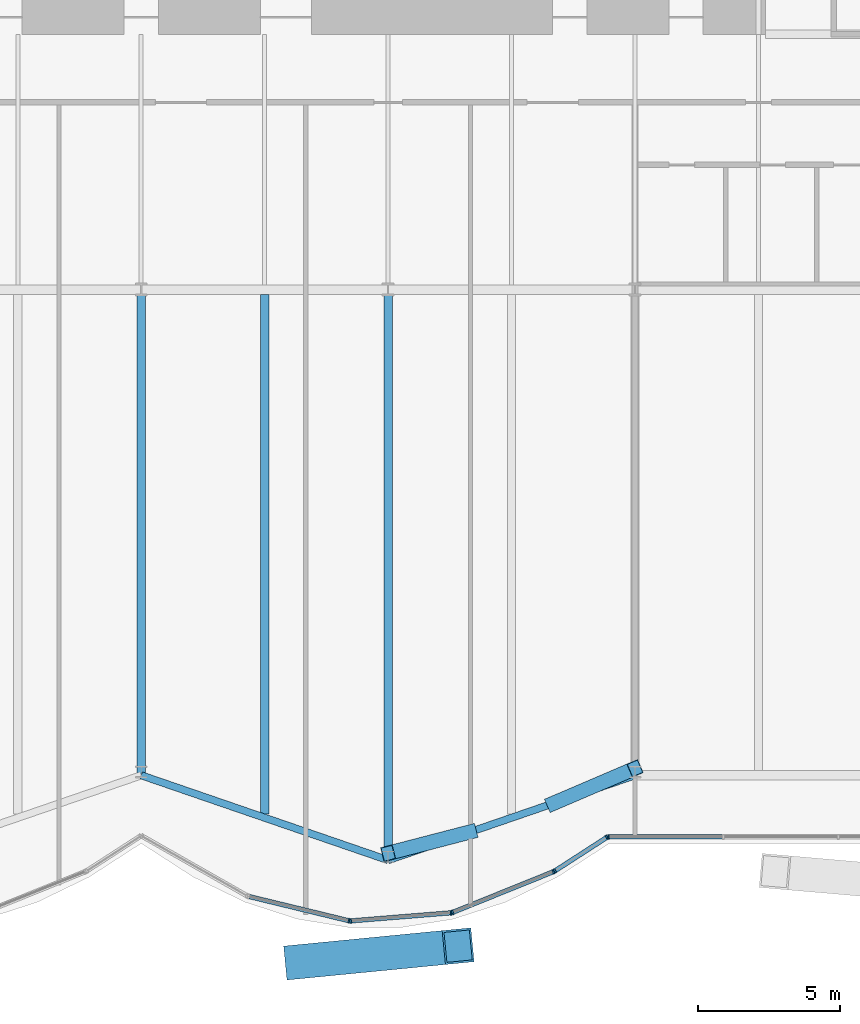
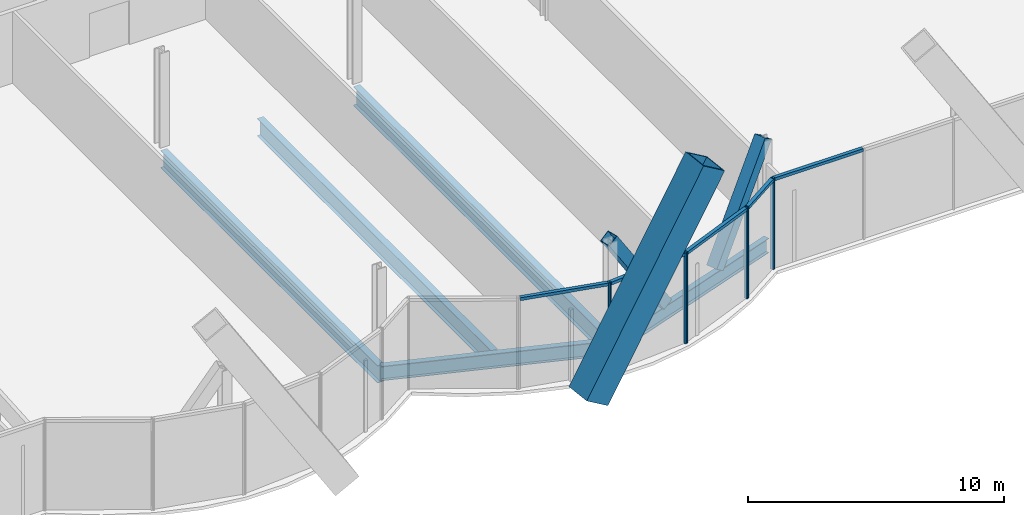
# One storey, part 8 of 23: 16 members, 5 beams, 2 elements without a shape of their own.
"""IFC4 building model written with IfcOpenShell, lengths in metres."""

from ifc_helpers import new_model, si_unit, direction, frame, origin, origin_2d, place, context, subcontext, project, spatial, rectangle, hollow_rectangle, i_section, extrude, material, material_profile, profile_set, type_object, element, aggregate, save


model = new_model("IFC4")

# Units and contexts
model_context = context("Model", 3, precision=1e-05, world=origin(), true_north=direction((0.0, 1.0)))
body_context = subcontext(model_context, "Body", "Model", "MODEL_VIEW")
ifc_project = project(units=[si_unit("LENGTHUNIT", "METRE"), si_unit("AREAUNIT", "SQUARE_METRE"), si_unit("VOLUMEUNIT", "CUBIC_METRE"), si_unit("PLANEANGLEUNIT", "RADIAN"), si_unit("MASSUNIT", "GRAM", prefix="KILO")], contexts=[model_context])

# Site, building, storey
site_placement = place(None, origin())
site = spatial("IfcSite", under=ifc_project, at=site_placement, CompositionType="ELEMENT")
building_placement = place(site_placement, origin())
building = spatial("IfcBuilding", under=site, at=building_placement, Name="Bicima Exchange Tower", CompositionType="ELEMENT")
storey_placement = place(building_placement, frame((0.0, 0.0, 44.0)))
storey = spatial("IfcBuildingStorey", under=building, at=storey_placement, Name="L08", CompositionType="ELEMENT", Elevation=44.0)

# Member
ifc_material_1 = material(Name="Steel ASTM A572 Gr 50", Category="steel")
ifc_material_profile_1 = material_profile(ifc_material_1, hollow_rectangle(XDim=1.199951171875, YDim=1.199951171875, WallThickness=0.070068359375, at=origin_2d()))
ifc_profile_set_1 = profile_set([ifc_material_profile_1], Name="Steel ASTM A572 Gr 50")
member_type_1 = type_object("IfcMemberType", Name="Exo mega brace BOX 1200x1200x70", PredefinedType="BRACE", material=ifc_profile_set_1)
member_1_placement = place(storey_placement, frame((5.583251953125, -45.67822265625, 0.375), z_axis=(0.529653366281, 0.051737893322, 0.846634810282), x_axis=(-0.097219824756, 0.995262932935, 0.0)))
element("IfcMember", 1, at=member_1_placement, inside=storey, type_object=member_type_1, Name="Exo mega brace front", PredefinedType="BRACE", context=body_context, shape_type="SweptSolid", body=[
    extrude(hollow_rectangle(XDim=1.199951171875, YDim=1.199951171875, WallThickness=0.070068359375, at=origin_2d()), origin(), (0.0, 0.0, 1.0), 10.541748046875),
])

# Beams
ifc_material_2 = material(Name="Steel ASTM A992 Gr 50", Category="steel")
ifc_material_profile_2 = material_profile(ifc_material_2, i_section(OverallWidth=0.2919921875, OverallDepth=0.835693359375, WebThickness=0.013916015625, FlangeThickness=0.018798828125, at=origin_2d()))
ifc_profile_set_2 = profile_set([ifc_material_profile_2], Name="Steel ASTM A992 Gr 50")
beam_type_1 = type_object("IfcBeamType", Name="Floor beam W33x118", PredefinedType="JOIST", material=ifc_profile_set_2)
beam_1_placement = place(storey_placement, frame((0.0, -22.16259765625, -0.56787109375), z_axis=(0.0, -1.0, 0.0), x_axis=(1.0, 0.0, 0.0)))
element("IfcBeam", 2, at=beam_1_placement, inside=storey, type_object=beam_type_1, Name="Floor beam", PredefinedType="JOIST", context=body_context, shape_type="SweptSolid", body=[
    extrude(i_section(OverallWidth=0.2919921875, OverallDepth=0.835693359375, WebThickness=0.013916015625, FlangeThickness=0.018798828125, at=origin_2d()), origin(), (0.0, 0.0, 1.0), 16.949462890625),
])
beam_2_placement = place(storey_placement, frame((4.35009765625, -22.16259765625, -0.56787109375), z_axis=(0.0, -1.0, 0.0), x_axis=(1.0, 0.0, 0.0)))
element("IfcBeam", 3, at=beam_2_placement, inside=storey, type_object=beam_type_1, Name="Floor beam", PredefinedType="JOIST", context=body_context, shape_type="SweptSolid", body=[
    extrude(i_section(OverallWidth=0.2919921875, OverallDepth=0.835693359375, WebThickness=0.013916015625, FlangeThickness=0.018798828125, at=origin_2d()), origin(), (0.0, 0.0, 1.0), 18.309326171875),
])
ifc_material_profile_3 = material_profile(ifc_material_2, i_section(OverallWidth=0.3046875, OverallDepth=0.904296875, WebThickness=0.01513671875, FlangeThickness=0.02001953125, at=origin_2d()))
ifc_profile_set_3 = profile_set([ifc_material_profile_3], Name="Steel ASTM A992 Gr 50")
beam_type_2 = type_object("IfcBeamType", Name="Floor beam W36x135", PredefinedType="JOIST", material=ifc_profile_set_3)
beam_3_placement = place(storey_placement, frame((8.699951171875, -22.16259765625, -0.60205078125), z_axis=(0.0, -1.0, 0.0), x_axis=(1.0, 0.0, 0.0)))
element("IfcBeam", 4, at=beam_3_placement, inside=storey, type_object=beam_type_2, Name="Floor beam", PredefinedType="JOIST", context=body_context, shape_type="SweptSolid", body=[
    extrude(i_section(OverallWidth=0.3046875, OverallDepth=0.904296875, WebThickness=0.01513671875, FlangeThickness=0.02001953125, at=origin_2d()), origin(), (0.0, 0.0, 1.0), 19.8046875),
])
ifc_material_profile_4 = material_profile(ifc_material_2, i_section(OverallWidth=0.256591796875, OverallDepth=0.693359375, WebThickness=0.014404296875, FlangeThickness=0.023681640625, at=origin_2d()))
ifc_profile_set_4 = profile_set([ifc_material_profile_4], Name="Steel ASTM A992 Gr 50")
beam_type_3 = type_object("IfcBeamType", Name="Front girder W27x114", PredefinedType="BEAM", material=ifc_profile_set_4)
for number, where, z_axis, x_axis, name in (
    (5, (0.0, -39.112060546875, -0.49658203125), (0.945674616091, -0.32511462668, 0.0), (0.32511462668, 0.945674616091, 0.0), "Front girder"),
    (6, (8.699951171875, -42.10302734375, -0.49658203125), (0.945674616091, 0.32511462668, 0.0), (-0.32511462668, 0.945674616091, 0.0), "Front girder"),
):
    element("IfcBeam", number, at=place(storey_placement, frame(where, z_axis=z_axis, x_axis=x_axis)), inside=storey, type_object=beam_type_3, Name=name, PredefinedType="BEAM", context=body_context, shape_type="SweptSolid", body=[
        extrude(i_section(OverallWidth=0.256591796875, OverallDepth=0.693359375, WebThickness=0.014404296875, FlangeThickness=0.023681640625, at=origin_2d()), origin(), (0.0, 0.0, 1.0), 9.19970703125),
    ])

# Curtain wall, members
ifc_material_3 = material(Name="Anodised bronze aluminium", Category="aluminium")
curtain_wall_type = type_object("IfcCurtainWallType", Name="Front glass wall", PredefinedType="NOTDEFINED", material=ifc_material_3)
curtain_wall_1_placement = place(storey_placement, origin())
curtain_wall_1 = element("IfcCurtainWall", 7, at=curtain_wall_1_placement, inside=storey, type_object=curtain_wall_type, Name="Front glass wall L08 run 11", PredefinedType="NOTDEFINED")
ifc_material_profile_5 = material_profile(ifc_material_3, rectangle(XDim=0.159912109375, YDim=0.06005859375, at=origin_2d()))
ifc_profile_set_5 = profile_set([ifc_material_profile_5], Name="Anodised bronze aluminium")
member_type_2 = type_object("IfcMemberType", Name="Front glass wall mullion 60 x 160", PredefinedType="MULLION", material=ifc_profile_set_5)
member_2_placement = place(storey_placement, frame((7.322509765625, -44.23779296875, 0.0), z_axis=(0.0, 0.0, 1.0), x_axis=(0.235681529503, 0.971830343553, 0.0)))
member_2 = element("IfcMember", 8, at=member_2_placement, type_object=member_type_2, Name="Front glass wall mullion 2", PredefinedType="MULLION", context=body_context, shape_type="SweptSolid", body=[
    extrude(rectangle(XDim=0.159912109375, YDim=0.06005859375, at=origin_2d()), origin(), (0.0, 0.0, 1.0), 4.35009765625),
])
member_3_placement = place(storey_placement, frame((7.381591796875, -44.24267578125, 0.0), z_axis=(0.0, 0.0, 1.0), x_axis=(-0.080588612633, 0.99674744821, 0.0)))
member_3 = element("IfcMember", 9, at=member_3_placement, type_object=member_type_2, Name="Front glass wall mullion 1", PredefinedType="MULLION", context=body_context, shape_type="SweptSolid", body=[
    extrude(rectangle(XDim=0.159912109375, YDim=0.06005859375, at=origin_2d()), origin(), (0.0, 0.0, 1.0), 4.35009765625),
])
member_4_placement = place(storey_placement, frame((10.916015625, -43.956787109375, 0.0), z_axis=(0.0, 0.0, 1.0), x_axis=(-0.080588612633, 0.99674744821, 0.0)))
member_4 = element("IfcMember", 10, at=member_4_placement, type_object=member_type_2, Name="Front glass wall mullion 2", PredefinedType="MULLION", context=body_context, shape_type="SweptSolid", body=[
    extrude(rectangle(XDim=0.159912109375, YDim=0.06005859375, at=origin_2d()), origin(), (0.0, 0.0, 1.0), 4.35009765625),
])
member_5_placement = place(storey_placement, frame((10.973876953125, -43.943115234375, 0.0), z_axis=(0.0, 0.0, 1.0), x_axis=(-0.374705304, 0.92714396679, 0.0)))
member_5 = element("IfcMember", 11, at=member_5_placement, type_object=member_type_2, Name="Front glass wall mullion 1", PredefinedType="MULLION", context=body_context, shape_type="SweptSolid", body=[
    extrude(rectangle(XDim=0.159912109375, YDim=0.06005859375, at=origin_2d()), origin(), (0.0, 0.0, 1.0), 4.35009765625),
])
member_6_placement = place(storey_placement, frame((14.52587890625, -42.507568359375, 0.0), z_axis=(0.0, 0.0, 1.0), x_axis=(-0.374705304, 0.92714396679, 0.0)))
member_6 = element("IfcMember", 12, at=member_6_placement, type_object=member_type_2, Name="Front glass wall mullion 2", PredefinedType="MULLION", context=body_context, shape_type="SweptSolid", body=[
    extrude(rectangle(XDim=0.159912109375, YDim=0.06005859375, at=origin_2d()), origin(), (0.0, 0.0, 1.0), 4.35009765625),
])
member_7_placement = place(storey_placement, frame((14.578857421875, -42.47998046875, 0.0), z_axis=(0.0, 0.0, 1.0), x_axis=(-0.542909183079, 0.839791413941, 0.0)))
member_7 = element("IfcMember", 13, at=member_7_placement, type_object=member_type_2, Name="Front glass wall mullion 1", PredefinedType="MULLION", context=body_context, shape_type="SweptSolid", body=[
    extrude(rectangle(XDim=0.159912109375, YDim=0.06005859375, at=origin_2d()), origin(), (0.0, 0.0, 1.0), 4.35009765625),
])
member_8_placement = place(storey_placement, frame((16.406982421875, -41.29833984375, 0.0), z_axis=(0.0, 0.0, 1.0), x_axis=(-0.542909183079, 0.839791413941, 0.0)))
member_8 = element("IfcMember", 14, at=member_8_placement, type_object=member_type_2, Name="Front glass wall mullion 2", PredefinedType="MULLION", context=body_context, shape_type="SweptSolid", body=[
    extrude(rectangle(XDim=0.159912109375, YDim=0.06005859375, at=origin_2d()), origin(), (0.0, 0.0, 1.0), 4.35009765625),
])

# Curtain wall, member
curtain_wall_2_placement = place(storey_placement, origin())
curtain_wall_2 = element("IfcCurtainWall", 15, at=curtain_wall_2_placement, inside=storey, type_object=curtain_wall_type, Name="Front glass wall L08 run 16", PredefinedType="NOTDEFINED")
member_9_placement = place(storey_placement, frame((16.462158203125, -41.281982421875, 0.0), z_axis=(0.0, 0.0, 1.0), x_axis=(0.0, 1.0, 0.0)))
member_9 = element("IfcMember", 16, at=member_9_placement, type_object=member_type_2, Name="Front glass wall mullion 1", PredefinedType="MULLION", context=body_context, shape_type="SweptSolid", body=[
    extrude(rectangle(XDim=0.159912109375, YDim=0.06005859375, at=origin_2d()), origin(), (0.0, 0.0, 1.0), 4.35009765625),
])

# Member
ifc_material_profile_6 = material_profile(ifc_material_3, rectangle(XDim=0.159912109375, YDim=0.139892578125, at=origin_2d()))
ifc_profile_set_6 = profile_set([ifc_material_profile_6], Name="Anodised bronze aluminium")
member_type_3 = type_object("IfcMemberType", Name="Front glass wall transom 140 x 160", PredefinedType="USERDEFINED", material=ifc_profile_set_6)
member_10_placement = place(storey_placement, frame((3.81103515625, -43.38623046875, 4.280029296875), z_axis=(0.971817951661, -0.235732621477, 0.0), x_axis=(0.235732621477, 0.971817951661, 0.0)))
member_10 = element("IfcMember", 17, at=member_10_placement, type_object=member_type_3, Name="Front glass wall transom 1.1", ObjectType="TRANSOM", PredefinedType="USERDEFINED", context=body_context, shape_type="SweptSolid", body=[
    extrude(rectangle(XDim=0.159912109375, YDim=0.139892578125, at=origin_2d()), origin(), (0.0, 0.0, 1.0), 3.58349609375),
])

member_11_placement = place(storey_placement, frame((7.41162109375, -44.240234375, 4.280029296875), z_axis=(0.9967456465, 0.080610893699, 0.0), x_axis=(-0.080610893699, 0.9967456465, 0.0)))
member_11 = element("IfcMember", 18, at=member_11_placement, type_object=member_type_3, Name="Front glass wall transom 1.1", ObjectType="TRANSOM", PredefinedType="USERDEFINED", context=body_context, shape_type="SweptSolid", body=[
    extrude(rectangle(XDim=0.159912109375, YDim=0.139892578125, at=origin_2d()), origin(), (0.0, 0.0, 1.0), 3.48583984375),
])

member_12_placement = place(storey_placement, frame((11.001708984375, -43.931884765625, 4.280029296875), z_axis=(0.927140215882, 0.374714584842, 0.0), x_axis=(-0.374714584842, 0.927140215882, 0.0)))
member_12 = element("IfcMember", 19, at=member_12_placement, type_object=member_type_3, Name="Front glass wall transom 1.1", ObjectType="TRANSOM", PredefinedType="USERDEFINED", context=body_context, shape_type="SweptSolid", body=[
    extrude(rectangle(XDim=0.159912109375, YDim=0.139892578125, at=origin_2d()), origin(), (0.0, 0.0, 1.0), 3.77099609375),
])

member_13_placement = place(storey_placement, frame((14.60400390625, -42.4638671875, 4.280029296875), z_axis=(0.839792890287, 0.542906899407, 0.0), x_axis=(-0.542906899407, 0.839792890287, 0.0)))
member_13 = element("IfcMember", 20, at=member_13_placement, type_object=member_type_3, Name="Front glass wall transom 1.1", ObjectType="TRANSOM", PredefinedType="USERDEFINED", context=body_context, shape_type="SweptSolid", body=[
    extrude(rectangle(XDim=0.159912109375, YDim=0.139892578125, at=origin_2d()), origin(), (0.0, 0.0, 1.0), 2.11669921875),
])

aggregate(curtain_wall_1, [member_2, member_10, member_3, member_4, member_11, member_5, member_6, member_12, member_7, member_8, member_13])

member_14_placement = place(storey_placement, frame((16.4921875, -41.281982421875, 4.280029296875), z_axis=(1.0, 0.0, 0.0), x_axis=(0.0, 1.0, 0.0)))
member_14 = element("IfcMember", 21, at=member_14_placement, type_object=member_type_3, Name="Front glass wall transom 1.1", ObjectType="TRANSOM", PredefinedType="USERDEFINED", context=body_context, shape_type="SweptSolid", body=[
    extrude(rectangle(XDim=0.159912109375, YDim=0.139892578125, at=origin_2d()), origin(), (0.0, 0.0, 1.0), 3.989501953125),
])

aggregate(curtain_wall_2, [member_9, member_14])

# Members
ifc_material_profile_7 = material_profile(ifc_material_1, hollow_rectangle(XDim=0.508056640625, YDim=0.508056640625, WallThickness=0.017822265625, at=origin_2d()))
ifc_profile_set_7 = profile_set([ifc_material_profile_7], Name="Steel ASTM A572 Gr 50")
member_type_4 = type_object("IfcMemberType", Name="Mega brace HSS20x20x3/4", PredefinedType="BRACE", material=ifc_profile_set_7)
member_15_placement = place(storey_placement, frame((14.5, -40.10888671875, 0.0), z_axis=(0.527696221197, 0.225819152412, 0.818866538905), x_axis=(-0.393424148395, 0.919357079409, 0.0)))
element("IfcMember", 22, at=member_15_placement, inside=storey, type_object=member_type_4, Name="Mega brace front", PredefinedType="BRACE", context=body_context, shape_type="SweptSolid", body=[
    extrude(hollow_rectangle(XDim=0.508056640625, YDim=0.508056640625, WallThickness=0.017822265625, at=origin_2d()), origin(), (0.0, 0.0, 1.0), 5.495361328125),
])
member_16_placement = place(storey_placement, frame((11.60009765625, -41.10595703125, 0.0), z_axis=(-0.536437945058, -0.139314004588, 0.832361663718), x_axis=(0.251363668904, -0.967892714073, 0.0)))
element("IfcMember", 23, at=member_16_placement, inside=storey, type_object=member_type_4, Name="Mega brace front", PredefinedType="BRACE", context=body_context, shape_type="SweptSolid", body=[
    extrude(hollow_rectangle(XDim=0.508056640625, YDim=0.508056640625, WallThickness=0.017822265625, at=origin_2d()), origin(), (0.0, 0.0, 1.0), 5.40625),
])

save(model, "model.ifc")
